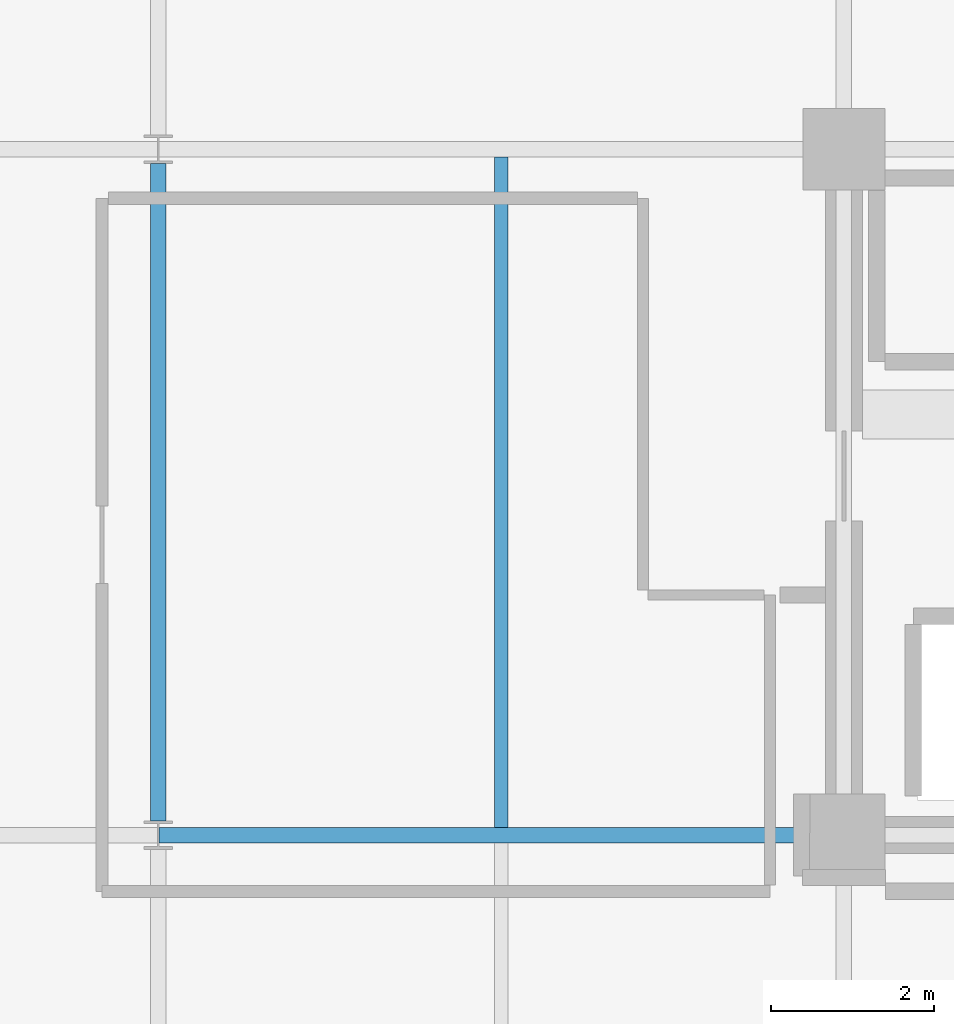
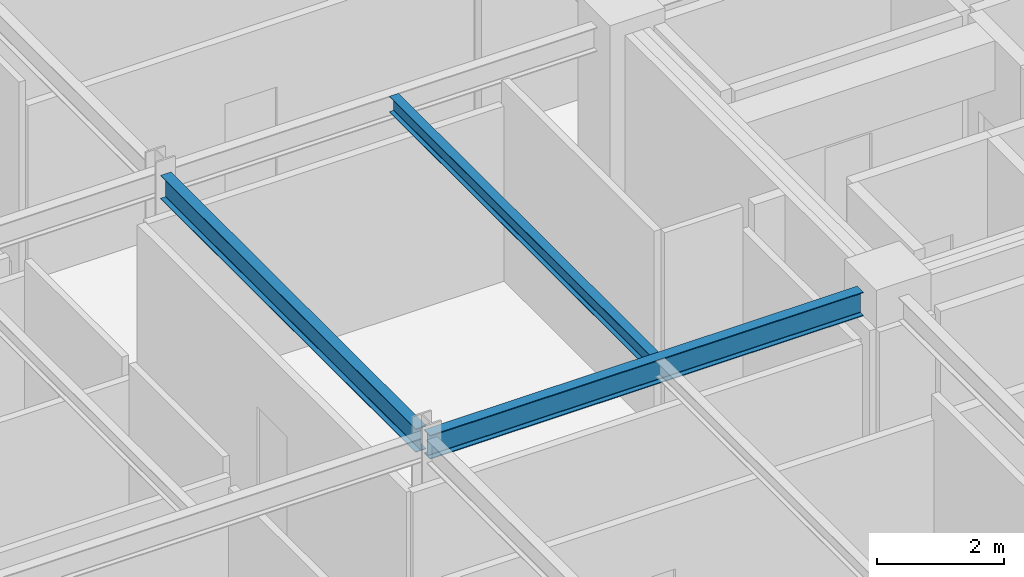
# One storey, part 5 of 25: 3 beams.
"""IFC4 building model written with IfcOpenShell, lengths in metres."""

from ifc_helpers import new_model, si_unit, direction, frame, origin, origin_2d, place, context, subcontext, project, spatial, i_section, extrude, material, material_profile, profile_set, type_object, element, save


model = new_model("IFC4")

# Units and contexts
model_context = context("Model", 3, precision=1e-05, world=origin(), true_north=direction((0.0, 1.0)))
body_context = subcontext(model_context, "Body", "Model", "MODEL_VIEW")
ifc_project = project(units=[si_unit("LENGTHUNIT", "METRE"), si_unit("AREAUNIT", "SQUARE_METRE"), si_unit("VOLUMEUNIT", "CUBIC_METRE"), si_unit("PLANEANGLEUNIT", "RADIAN"), si_unit("MASSUNIT", "GRAM", prefix="KILO")], contexts=[model_context])

# Site, building, storey
site_placement = place(None, origin())
site = spatial("IfcSite", under=ifc_project, at=site_placement, CompositionType="ELEMENT")
building_placement = place(site_placement, origin())
building = spatial("IfcBuilding", under=site, at=building_placement, Name="Nerrivon Quay Data Exchange", CompositionType="ELEMENT")
storey_placement = place(building_placement, frame((0.0, 0.0, 232.89990234375)))
storey = spatial("IfcBuildingStorey", under=building, at=storey_placement, Name="L55", CompositionType="ELEMENT", Elevation=232.89990234375)

# Beams
ifc_material = material(Name="Steel Grade 350", Category="steel")
ifc_material_profile_1 = material_profile(ifc_material, i_section(OverallWidth=0.19091796875, OverallDepth=0.4599609375, WebThickness=0.010009765625, FlangeThickness=0.01611328125, FilletRadius=0.011474609375, at=origin_2d()), Name="460UB82.1")
ifc_profile_set_1 = profile_set([ifc_material_profile_1], Name="Steel Grade 350")
beam_type_1 = type_object("IfcBeamType", Name="BM-G5-460UB82", PredefinedType="BEAM", material=ifc_profile_set_1)
beam_1_placement = place(storey_placement, frame((8.409912109375, 8.39990234375, 3.59521484375), z_axis=(1.0, 0.0, 0.0), x_axis=(0.0, 1.0, 0.0)))
element("IfcBeam", 1, at=beam_1_placement, inside=storey, type_object=beam_type_1, Name="L55 EW Girder Y=8.4 (8.4..16.8)", PredefinedType="BEAM", context=body_context, shape_type="SweptSolid", body=[
    extrude(i_section(OverallWidth=0.19091796875, OverallDepth=0.4599609375, WebThickness=0.010009765625, FlangeThickness=0.01611328125, FilletRadius=0.011474609375, at=origin_2d()), origin(), (0.0, 0.0, 1.0), 7.89013671875),
])
ifc_material_profile_2 = material_profile(ifc_material, i_section(OverallWidth=0.18994140625, OverallDepth=0.4541015625, WebThickness=0.008544921875, FlangeThickness=0.0126953125, FilletRadius=0.011474609375, at=origin_2d()), Name="460UB67.1")
ifc_profile_set_2 = profile_set([ifc_material_profile_2], Name="Steel Grade 350")
beam_type_2 = type_object("IfcBeamType", Name="BM-G6-460UB67", PredefinedType="BEAM", material=ifc_profile_set_2)
beam_2_placement = place(storey_placement, frame((8.39990234375, 8.574951171875, 3.59814453125), z_axis=(0.0, 1.0, 0.0), x_axis=(-1.0, 0.0, 0.0)))
element("IfcBeam", 2, at=beam_2_placement, inside=storey, type_object=beam_type_2, Name="L55 NS Girder X=8.4 (8.4..16.8)", PredefinedType="BEAM", context=body_context, shape_type="SweptSolid", body=[
    extrude(i_section(OverallWidth=0.18994140625, OverallDepth=0.4541015625, WebThickness=0.008544921875, FlangeThickness=0.0126953125, FilletRadius=0.011474609375, at=origin_2d()), origin(), (0.0, 0.0, 1.0), 8.050048828125),
])
ifc_material_profile_3 = material_profile(ifc_material, i_section(OverallWidth=0.166015625, OverallDepth=0.306884765625, WebThickness=0.006591796875, FlangeThickness=0.01171875, FilletRadius=0.011474609375, at=origin_2d()), Name="310UB46.2")
ifc_profile_set_3 = profile_set([ifc_material_profile_3], Name="Steel Grade 350")
beam_type_3 = type_object("IfcBeamType", Name="BM-J5-310UB46", PredefinedType="JOIST", material=ifc_profile_set_3)
beam_3_placement = place(storey_placement, frame((12.60009765625, 8.49560546875, 3.671630859375), z_axis=(0.0, 1.0, 0.0), x_axis=(-1.0, 0.0, 0.0)))
element("IfcBeam", 3, at=beam_3_placement, inside=storey, type_object=beam_type_3, Name="L55 Secondary Joist X=12.6 (8.4..16.8)", PredefinedType="JOIST", context=body_context, shape_type="SweptSolid", body=[
    extrude(i_section(OverallWidth=0.166015625, OverallDepth=0.306884765625, WebThickness=0.006591796875, FlangeThickness=0.01171875, FilletRadius=0.011474609375, at=origin_2d()), origin(), (0.0, 0.0, 1.0), 8.208984375),
])

save(model, "model.ifc")
